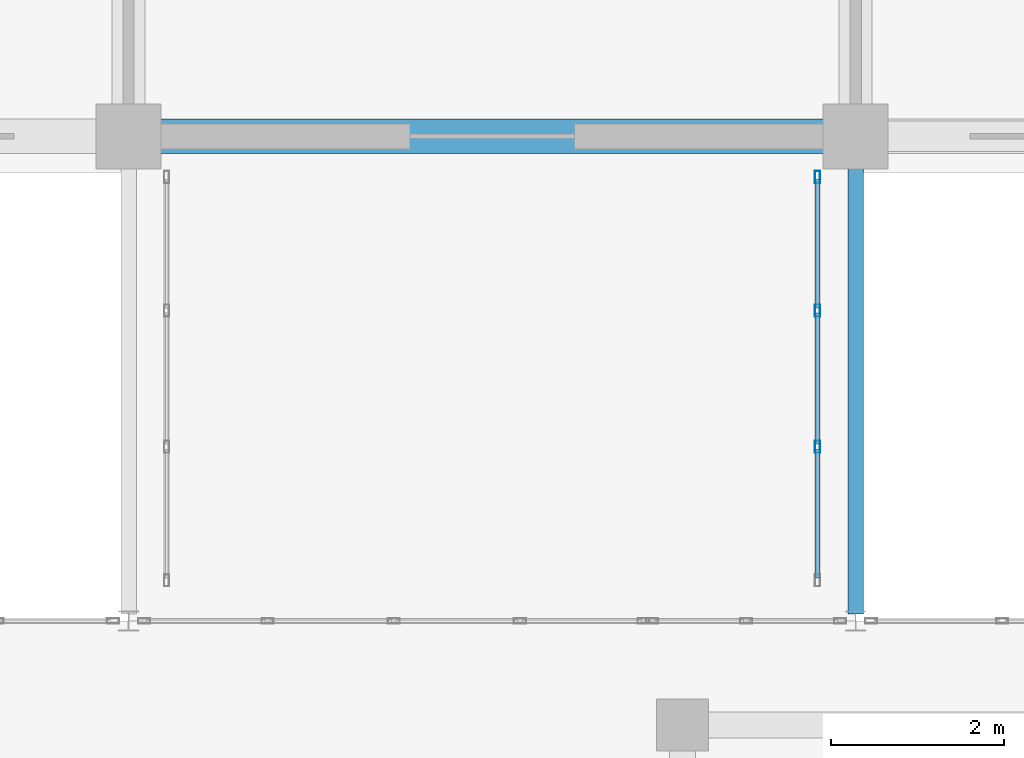
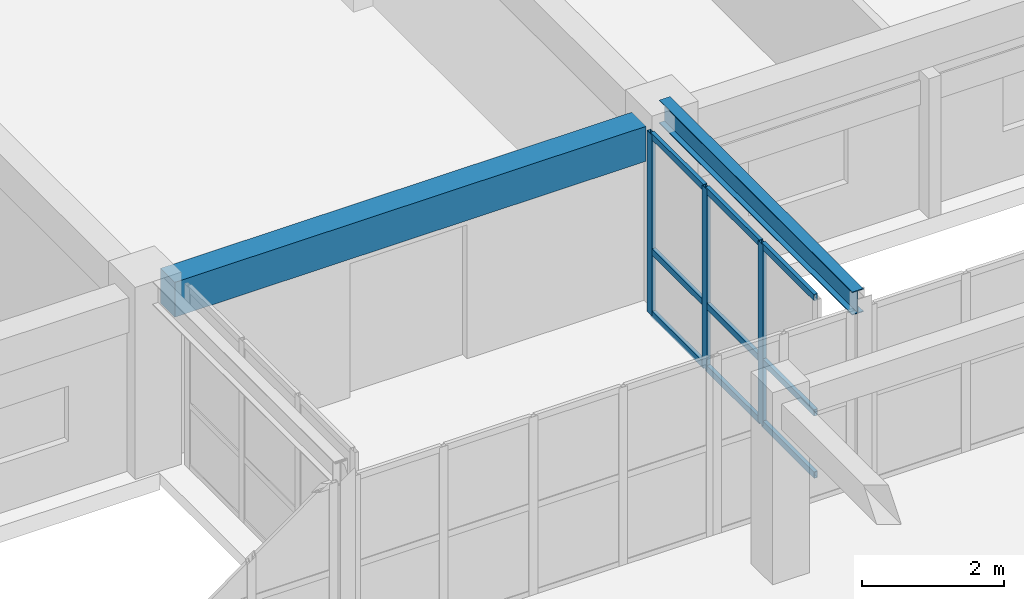
# One storey, part 117 of 200: 12 members, 2 beams, 1 element without a shape of its own.
"""IFC4 building model written with IfcOpenShell, lengths in metres."""

from ifc_helpers import new_model, si_unit, direction, frame, origin, origin_2d, place, context, subcontext, project, spatial, rectangle, hollow_rectangle, i_section, extrude, material, layer, layer_set, material_profile, profile_set, type_object, element, aggregate, save


model = new_model("IFC4")

# Units and contexts
model_context = context("Model", 3, precision=1e-05, world=origin(), true_north=direction((0.0, 1.0)))
body_context = subcontext(model_context, "Body", "Model", "MODEL_VIEW")
ifc_project = project(units=[si_unit("LENGTHUNIT", "METRE"), si_unit("AREAUNIT", "SQUARE_METRE"), si_unit("VOLUMEUNIT", "CUBIC_METRE"), si_unit("PLANEANGLEUNIT", "RADIAN"), si_unit("MASSUNIT", "GRAM", prefix="KILO")], contexts=[model_context])

# Site, building, storey
site_placement = place(None, origin())
site = spatial("IfcSite", under=ifc_project, at=site_placement, CompositionType="ELEMENT")
building_placement = place(site_placement, origin())
building = spatial("IfcBuilding", under=site, at=building_placement, Name="Trelvath General Hospital", CompositionType="ELEMENT")
storey_placement = place(building_placement, frame((0.0, 0.0, 4.800048828125)))
storey = spatial("IfcBuildingStorey", under=building, at=storey_placement, Name="L01", CompositionType="ELEMENT", Elevation=4.800048828125)

# Beams
ifc_material_1 = material(Name="Concrete C35/45", Category="concrete")
ifc_material_profile_1 = material_profile(ifc_material_1, rectangle(XDim=0.39990234375, YDim=0.60009765625, at=origin_2d()), Name="RCB400x600")
ifc_profile_set_1 = profile_set([ifc_material_profile_1], Name="Concrete C35/45")
beam_type_1 = type_object("IfcBeamType", Name="Beam RC400x600", PredefinedType="BEAM", material=ifc_profile_set_1)
beam_1_placement = place(storey_placement, frame((101.169921875, 92.39990234375, 2.719970703125), z_axis=(1.0, 0.0, 0.0), x_axis=(0.0, 1.0, 0.0)))
element("IfcBeam", 1, at=beam_1_placement, inside=storey, type_object=beam_type_1, Name="Grid Beam BX-112L", PredefinedType="BEAM", context=body_context, shape_type="SweptSolid", body=[
    extrude(rectangle(XDim=0.39990234375, YDim=0.60009765625, at=origin_2d()), origin(), (0.0, 0.0, 1.0), 7.66015625),
])
ifc_material_2 = material(Name="Steel S355", Category="steel")
ifc_material_profile_2 = material_profile(ifc_material_2, i_section(OverallWidth=0.179931640625, OverallDepth=0.39990234375, WebThickness=0.008544921875, FlangeThickness=0.013427734375, at=origin_2d()), Name="IPE400")
ifc_profile_set_2 = profile_set([ifc_material_profile_2], Name="Steel S355")
beam_type_2 = type_object("IfcBeamType", Name="BridgeGirder IPE400", PredefinedType="BEAM", material=ifc_profile_set_2)
beam_2_placement = place(storey_placement, frame((109.199951171875, 86.8798828125, 3.099853515625), z_axis=(0.0, 1.0, 0.0), x_axis=(-1.0, 0.0, 0.0)))
element("IfcBeam", 2, at=beam_2_placement, inside=storey, type_object=beam_type_2, Name="Bridge Roof Girder BRG-N-E E", PredefinedType="BEAM", context=body_context, shape_type="SweptSolid", body=[
    extrude(i_section(OverallWidth=0.179931640625, OverallDepth=0.39990234375, WebThickness=0.008544921875, FlangeThickness=0.013427734375, at=origin_2d()), origin(), (0.0, 0.0, 1.0), 5.440185546875),
])

# Curtain wall, members
ifc_material_3 = material(Name="Anodised aluminium and low-E glass", Category="aluminium")
ifc_layer = layer(ifc_material_3, 0.139892578125)
ifc_layer_set = layer_set([ifc_layer], Name="Anodised aluminium and low-E glass")
curtain_wall_type = type_object("IfcCurtainWallType", Name="CW Bridge 472 311", PredefinedType="USERDEFINED", material=ifc_layer_set)
curtain_wall_placement = place(storey_placement, origin())
curtain_wall = element("IfcCurtainWall", 3, at=curtain_wall_placement, inside=storey, type_object=curtain_wall_type, Name="Glazed Bridge Curtain Wall BRG-N-E E L01", ObjectType="Unitised Glazed Curtain Wall", PredefinedType="USERDEFINED")
ifc_material_4 = material(Name="Anodised aluminium", Category="aluminium")
ifc_material_profile_3 = material_profile(ifc_material_4, hollow_rectangle(XDim=0.06005859375, YDim=0.139892578125, WallThickness=0.00390625, at=origin_2d()), Name="RHS60x140x4")
ifc_profile_set_3 = profile_set([ifc_material_profile_3], Name="Anodised aluminium")
member_type_1 = type_object("IfcMemberType", Name="CurtainMullion 60x140", PredefinedType="MULLION", material=ifc_profile_set_3)
member_1_placement = place(storey_placement, frame((108.760009765625, 91.929931640625, 0.0), z_axis=(0.0, 0.0, 1.0), x_axis=(1.0, 0.0, 0.0)))
member_1 = element("IfcMember", 4, at=member_1_placement, type_object=member_type_1, Name="CW-187 mullion 1", PredefinedType="MULLION", context=body_context, shape_type="SweptSolid", body=[
    extrude(hollow_rectangle(XDim=0.06005859375, YDim=0.139892578125, WallThickness=0.00390625, at=origin_2d()), origin(), (0.0, 0.0, 1.0), 3.10986328125),
])
member_2_placement = place(storey_placement, frame((108.760009765625, 90.38671875, 0.0), z_axis=(0.0, 0.0, 1.0), x_axis=(1.0, 0.0, 0.0)))
member_2 = element("IfcMember", 5, at=member_2_placement, type_object=member_type_1, Name="CW-187 mullion 2", PredefinedType="MULLION", context=body_context, shape_type="SweptSolid", body=[
    extrude(hollow_rectangle(XDim=0.06005859375, YDim=0.139892578125, WallThickness=0.00390625, at=origin_2d()), origin(), (0.0, 0.0, 1.0), 3.10986328125),
])
member_3_placement = place(storey_placement, frame((108.760009765625, 88.813232421875, 0.0), z_axis=(0.0, 0.0, 1.0), x_axis=(1.0, 0.0, 0.0)))
member_3 = element("IfcMember", 6, at=member_3_placement, type_object=member_type_1, Name="CW-187 mullion 3", PredefinedType="MULLION", context=body_context, shape_type="SweptSolid", body=[
    extrude(hollow_rectangle(XDim=0.06005859375, YDim=0.139892578125, WallThickness=0.00390625, at=origin_2d()), origin(), (0.0, 0.0, 1.0), 3.10986328125),
])
ifc_material_5 = material(Name="Anodised aluminium", Category="aluminium")
ifc_material_profile_4 = material_profile(ifc_material_5, hollow_rectangle(XDim=0.06005859375, YDim=0.110107421875, WallThickness=0.00390625, at=origin_2d()), Name="RHS60x110x4")
ifc_profile_set_4 = profile_set([ifc_material_profile_4], Name="Anodised aluminium")
member_type_2 = type_object("IfcMemberType", Name="CurtainTransom 60x110", PredefinedType="USERDEFINED", material=ifc_profile_set_4)
member_4_placement = place(storey_placement, frame((108.760009765625, 91.89990234375, 0.030029296875), z_axis=(0.0, -1.0, 0.0), x_axis=(1.0, 0.0, 0.0)))
member_4 = element("IfcMember", 7, at=member_4_placement, type_object=member_type_2, Name="CW-187 transom 1.1", ObjectType="TRANSOM", PredefinedType="USERDEFINED", context=body_context, shape_type="SweptSolid", body=[
    extrude(hollow_rectangle(XDim=0.06005859375, YDim=0.110107421875, WallThickness=0.00390625, at=origin_2d()), origin(), (0.0, 0.0, 1.0), 1.483154296875),
])
member_5_placement = place(storey_placement, frame((108.760009765625, 91.89990234375, 1.099853515625), z_axis=(0.0, -1.0, 0.0), x_axis=(1.0, 0.0, 0.0)))
member_5 = element("IfcMember", 8, at=member_5_placement, type_object=member_type_2, Name="CW-187 transom 1.2", ObjectType="TRANSOM", PredefinedType="USERDEFINED", context=body_context, shape_type="SweptSolid", body=[
    extrude(hollow_rectangle(XDim=0.06005859375, YDim=0.110107421875, WallThickness=0.00390625, at=origin_2d()), origin(), (0.0, 0.0, 1.0), 1.483154296875),
])
member_6_placement = place(storey_placement, frame((108.760009765625, 91.89990234375, 3.079833984375), z_axis=(0.0, -1.0, 0.0), x_axis=(1.0, 0.0, 0.0)))
member_6 = element("IfcMember", 9, at=member_6_placement, type_object=member_type_2, Name="CW-187 transom 1.3", ObjectType="TRANSOM", PredefinedType="USERDEFINED", context=body_context, shape_type="SweptSolid", body=[
    extrude(hollow_rectangle(XDim=0.06005859375, YDim=0.110107421875, WallThickness=0.00390625, at=origin_2d()), origin(), (0.0, 0.0, 1.0), 1.483154296875),
])
member_7_placement = place(storey_placement, frame((108.760009765625, 90.356689453125, 0.030029296875), z_axis=(0.0, -1.0, 0.0), x_axis=(1.0, 0.0, 0.0)))
member_7 = element("IfcMember", 10, at=member_7_placement, type_object=member_type_2, Name="CW-187 transom 2.1", ObjectType="TRANSOM", PredefinedType="USERDEFINED", context=body_context, shape_type="SweptSolid", body=[
    extrude(hollow_rectangle(XDim=0.06005859375, YDim=0.110107421875, WallThickness=0.00390625, at=origin_2d()), origin(), (0.0, 0.0, 1.0), 1.513427734375),
])
member_8_placement = place(storey_placement, frame((108.760009765625, 90.356689453125, 1.099853515625), z_axis=(0.0, -1.0, 0.0), x_axis=(1.0, 0.0, 0.0)))
member_8 = element("IfcMember", 11, at=member_8_placement, type_object=member_type_2, Name="CW-187 transom 2.2", ObjectType="TRANSOM", PredefinedType="USERDEFINED", context=body_context, shape_type="SweptSolid", body=[
    extrude(hollow_rectangle(XDim=0.06005859375, YDim=0.110107421875, WallThickness=0.00390625, at=origin_2d()), origin(), (0.0, 0.0, 1.0), 1.513427734375),
])
member_9_placement = place(storey_placement, frame((108.760009765625, 90.356689453125, 3.079833984375), z_axis=(0.0, -1.0, 0.0), x_axis=(1.0, 0.0, 0.0)))
member_9 = element("IfcMember", 12, at=member_9_placement, type_object=member_type_2, Name="CW-187 transom 2.3", ObjectType="TRANSOM", PredefinedType="USERDEFINED", context=body_context, shape_type="SweptSolid", body=[
    extrude(hollow_rectangle(XDim=0.06005859375, YDim=0.110107421875, WallThickness=0.00390625, at=origin_2d()), origin(), (0.0, 0.0, 1.0), 1.513427734375),
])
member_10_placement = place(storey_placement, frame((108.760009765625, 88.783447265625, 0.030029296875), z_axis=(0.0, -1.0, 0.0), x_axis=(1.0, 0.0, 0.0)))
member_10 = element("IfcMember", 13, at=member_10_placement, type_object=member_type_2, Name="CW-187 transom 3.1", ObjectType="TRANSOM", PredefinedType="USERDEFINED", context=body_context, shape_type="SweptSolid", body=[
    extrude(hollow_rectangle(XDim=0.06005859375, YDim=0.110107421875, WallThickness=0.00390625, at=origin_2d()), origin(), (0.0, 0.0, 1.0), 1.4833984375),
])
member_11_placement = place(storey_placement, frame((108.760009765625, 88.783447265625, 1.099853515625), z_axis=(0.0, -1.0, 0.0), x_axis=(1.0, 0.0, 0.0)))
member_11 = element("IfcMember", 14, at=member_11_placement, type_object=member_type_2, Name="CW-187 transom 3.2", ObjectType="TRANSOM", PredefinedType="USERDEFINED", context=body_context, shape_type="SweptSolid", body=[
    extrude(hollow_rectangle(XDim=0.06005859375, YDim=0.110107421875, WallThickness=0.00390625, at=origin_2d()), origin(), (0.0, 0.0, 1.0), 1.4833984375),
])
member_12_placement = place(storey_placement, frame((108.760009765625, 88.783447265625, 3.079833984375), z_axis=(0.0, -1.0, 0.0), x_axis=(1.0, 0.0, 0.0)))
member_12 = element("IfcMember", 15, at=member_12_placement, type_object=member_type_2, Name="CW-187 transom 3.3", ObjectType="TRANSOM", PredefinedType="USERDEFINED", context=body_context, shape_type="SweptSolid", body=[
    extrude(hollow_rectangle(XDim=0.06005859375, YDim=0.110107421875, WallThickness=0.00390625, at=origin_2d()), origin(), (0.0, 0.0, 1.0), 1.4833984375),
])
aggregate(curtain_wall, [member_1, member_2, member_3, member_4, member_5, member_6, member_7, member_8, member_9, member_10, member_11, member_12])

save(model, "model.ifc")
